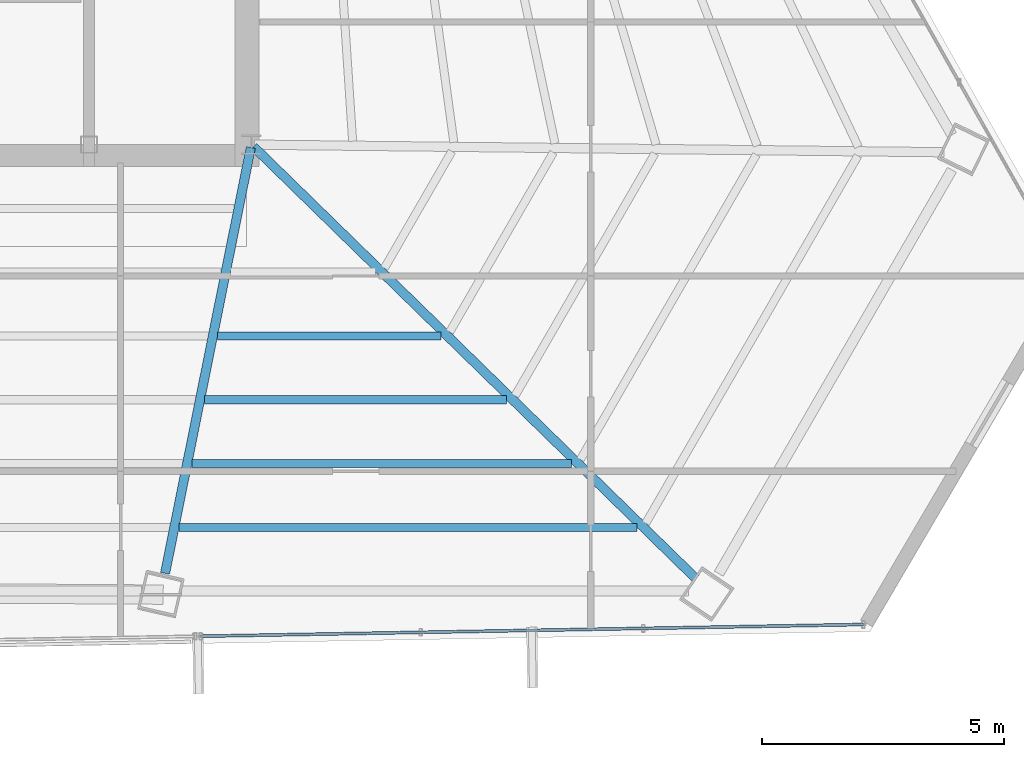
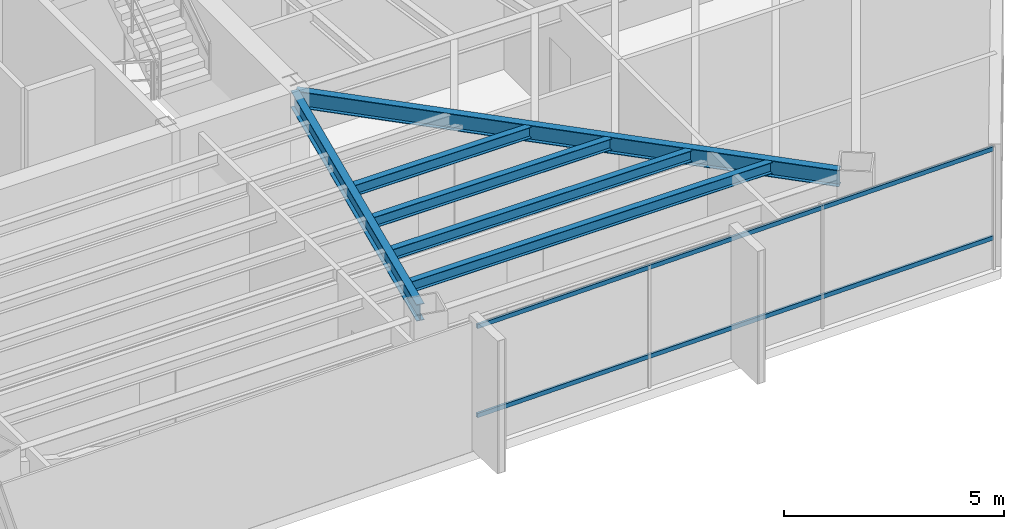
# One storey, part 19 of 42: 6 beams, 2 members, 1 element without a shape of its own.
"""IFC4 building model written with IfcOpenShell, lengths in metres."""

from ifc_helpers import new_model, si_unit, direction, frame, origin, origin_2d, place, context, subcontext, project, spatial, hollow_rectangle, i_section, extrude, source, transform, mapped, material, material_profile, profile_set, type_object, type_shapes, element, aggregate, save


model = new_model("IFC4")

# Units and contexts
model_context = context("Model", 3, precision=1e-05, world=origin(), true_north=direction((0.0, 1.0)))
body_context = subcontext(model_context, "Body", "Model", "MODEL_VIEW")
ifc_project = project(units=[si_unit("LENGTHUNIT", "METRE"), si_unit("AREAUNIT", "SQUARE_METRE"), si_unit("VOLUMEUNIT", "CUBIC_METRE"), si_unit("PLANEANGLEUNIT", "RADIAN"), si_unit("MASSUNIT", "GRAM", prefix="KILO")], contexts=[model_context])

# Site, building, storey
site_placement = place(None, origin())
site = spatial("IfcSite", under=ifc_project, at=site_placement, CompositionType="ELEMENT")
building_placement = place(site_placement, origin())
building = spatial("IfcBuilding", under=site, at=building_placement, Name="Caelisora Broadcast Tower", CompositionType="ELEMENT")
storey_placement = place(building_placement, frame((0.0, 0.0, 195.0)))
storey = spatial("IfcBuildingStorey", under=building, at=storey_placement, Name="L51", CompositionType="ELEMENT", Elevation=195.0)

# Beams
ifc_material_1 = material(Name="Steel Grade 350 (AS/NZS 3679.1)", Category="steel")
ifc_material_profile_1 = material_profile(ifc_material_1, i_section(OverallWidth=0.19091796875, OverallDepth=0.46044921875, WebThickness=0.010009765625, FlangeThickness=0.01611328125, at=origin_2d()), Name="Steel Grade 350 (AS/NZS 3679.1)")
ifc_profile_set_1 = profile_set([ifc_material_profile_1], Name="Steel Grade 350 (AS/NZS 3679.1)")
beam_type_1 = type_object("IfcBeamType", Name="PG06", PredefinedType="BEAM", material=ifc_profile_set_1)
shared_shape_1 = source(origin(), body_context, "Body", "SweptSolid", [
    extrude(i_section(OverallWidth=0.19091796875, OverallDepth=0.46044921875, WebThickness=0.010009765625, FlangeThickness=0.01611328125, at=origin_2d()), origin(), (0.0, 0.0, 1.0), 12.751220703125),
])
beam_1_placement = place(storey_placement, frame((45.54296875, 17.358154296875, 3.169921875), z_axis=(0.715547316722, -0.69856426872, 0.0), x_axis=(0.69856426872, 0.715547316722, 0.0)))
element("IfcBeam", 1, at=beam_1_placement, inside=storey, type_object=beam_type_1, Name="L51 beam PG06", PredefinedType="BEAM", context=body_context, shape_type="MappedRepresentation", body=[
    mapped(shared_shape_1, transform((0.0, 0.0, 0.0), scale=1.0)),
])
shared_shape_2 = source(origin(), body_context, "Body", "SweptSolid", [
    extrude(i_section(OverallWidth=0.19091796875, OverallDepth=0.46044921875, WebThickness=0.010009765625, FlangeThickness=0.01611328125, at=origin_2d()), origin(), (0.0, 0.0, 1.0), 8.9609375),
])
type_shapes(beam_type_1, [shared_shape_1, shared_shape_2])
beam_2_placement = place(storey_placement, frame((45.48828125, 17.34130859375, 3.169921875), z_axis=(-0.197389143956, -0.980325214329, 0.0), x_axis=(0.980325214329, -0.197389143956, 0.0)))
element("IfcBeam", 2, at=beam_2_placement, inside=storey, type_object=beam_type_1, Name="L51 beam PG06", PredefinedType="BEAM", context=body_context, shape_type="MappedRepresentation", body=[
    mapped(shared_shape_2, transform((0.0, 0.0, 0.0), scale=1.0)),
])
ifc_material_profile_2 = material_profile(ifc_material_1, i_section(OverallWidth=0.166015625, OverallDepth=0.30712890625, WebThickness=0.006591796875, FlangeThickness=0.01171875, at=origin_2d()), Name="Steel Grade 350 (AS/NZS 3679.1)")
ifc_profile_set_2 = profile_set([ifc_material_profile_2], Name="Steel Grade 350 (AS/NZS 3679.1)")
beam_type_2 = type_object("IfcBeamType", Name="SB03", PredefinedType="JOIST", material=ifc_profile_set_2)
shared_shape_3 = source(origin(), body_context, "Body", "SweptSolid", [
    extrude(i_section(OverallWidth=0.166015625, OverallDepth=0.30712890625, WebThickness=0.006591796875, FlangeThickness=0.01171875, at=origin_2d()), origin(), (0.0, 0.0, 1.0), 4.61083984375),
])
beam_3_placement = place(storey_placement, frame((44.799560546875, 13.451904296875, 3.246337890625), z_axis=(1.0, 0.0, 0.0), x_axis=(0.0, 1.0, 0.0)))
element("IfcBeam", 3, at=beam_3_placement, inside=storey, type_object=beam_type_2, Name="L51 beam SB03", PredefinedType="JOIST", context=body_context, shape_type="MappedRepresentation", body=[
    mapped(shared_shape_3, transform((0.0, 0.0, 0.0), scale=1.0)),
])
shared_shape_4 = source(origin(), body_context, "Body", "SweptSolid", [
    extrude(i_section(OverallWidth=0.166015625, OverallDepth=0.30712890625, WebThickness=0.006591796875, FlangeThickness=0.01171875, at=origin_2d()), origin(), (0.0, 0.0, 1.0), 6.2236328125),
])
beam_4_placement = place(storey_placement, frame((44.53466796875, 12.135986328125, 3.246337890625), z_axis=(1.0, 0.0, 0.0), x_axis=(0.0, 1.0, 0.0)))
element("IfcBeam", 4, at=beam_4_placement, inside=storey, type_object=beam_type_2, Name="L51 beam SB03", PredefinedType="JOIST", context=body_context, shape_type="MappedRepresentation", body=[
    mapped(shared_shape_4, transform((0.0, 0.0, 0.0), scale=1.0)),
])
shared_shape_5 = source(origin(), body_context, "Body", "SweptSolid", [
    extrude(i_section(OverallWidth=0.166015625, OverallDepth=0.30712890625, WebThickness=0.006591796875, FlangeThickness=0.01171875, at=origin_2d()), origin(), (0.0, 0.0, 1.0), 7.836669921875),
])
beam_5_placement = place(storey_placement, frame((44.269775390625, 10.820068359375, 3.246337890625), z_axis=(1.0, 0.0, 0.0), x_axis=(0.0, 1.0, 0.0)))
element("IfcBeam", 5, at=beam_5_placement, inside=storey, type_object=beam_type_2, Name="L51 beam SB03", PredefinedType="JOIST", context=body_context, shape_type="MappedRepresentation", body=[
    mapped(shared_shape_5, transform((0.0, 0.0, 0.0), scale=1.0)),
])
shared_shape_6 = source(origin(), body_context, "Body", "SweptSolid", [
    extrude(i_section(OverallWidth=0.166015625, OverallDepth=0.30712890625, WebThickness=0.006591796875, FlangeThickness=0.01171875, at=origin_2d()), origin(), (0.0, 0.0, 1.0), 9.44970703125),
])
type_shapes(beam_type_2, [shared_shape_3, shared_shape_4, shared_shape_5, shared_shape_6])
beam_6_placement = place(storey_placement, frame((44.004638671875, 9.504150390625, 3.246337890625), z_axis=(1.0, 0.0, 0.0), x_axis=(0.0, 1.0, 0.0)))
element("IfcBeam", 6, at=beam_6_placement, inside=storey, type_object=beam_type_2, Name="L51 beam SB03", PredefinedType="JOIST", context=body_context, shape_type="MappedRepresentation", body=[
    mapped(shared_shape_6, transform((0.0, 0.0, 0.0), scale=1.0)),
])

# Curtain wall, members
ifc_material_2 = material(Name="Unitised Aluminium and Low-E Glass Curtain Wall", Category="glass")
curtain_wall_type = type_object("IfcCurtainWallType", Name="CW-Z4", PredefinedType="NOTDEFINED", material=ifc_material_2)
curtain_wall_placement = place(storey_placement, origin())
curtain_wall = element("IfcCurtainWall", 7, at=curtain_wall_placement, inside=storey, type_object=curtain_wall_type, Name="L51 curtain wall CW-Z4", PredefinedType="NOTDEFINED")
ifc_material_3 = material(Name="Aluminium 6063-T6 Anodised Terracotta Bronze", Category="aluminium")
ifc_material_profile_3 = material_profile(ifc_material_3, hollow_rectangle(XDim=0.06005859375, YDim=0.1201171875, WallThickness=0.0029296875, at=origin_2d()), Name="Aluminium 6063-T6 Anodised Terracotta Bronze")
ifc_profile_set_3 = profile_set([ifc_material_profile_3], Name="Aluminium 6063-T6 Anodised Terracotta Bronze")
member_type = type_object("IfcMemberType", Name="CWT-03", PredefinedType="USERDEFINED", material=ifc_profile_set_3)
shared_shape_7 = source(origin(), body_context, "Body", "SweptSolid", [
    extrude(hollow_rectangle(XDim=0.06005859375, YDim=0.1201171875, WallThickness=0.0029296875, at=origin_2d()), origin(), (0.0, 0.0, 1.0), 13.679931640625),
])
type_shapes(member_type, [shared_shape_7])
member_1_placement = place(storey_placement, frame((58.126953125, 7.4990234375, 0.85009765625), z_axis=(-0.999843273291, -0.017703922017, 0.0), x_axis=(0.017703922017, -0.999843273291, 0.0)))
member_1 = element("IfcMember", 8, at=member_1_placement, type_object=member_type, Name="L51-CW-B05 transom #1", ObjectType="TRANSOM", PredefinedType="USERDEFINED", context=body_context, shape_type="MappedRepresentation", body=[
    mapped(shared_shape_7, transform((0.0, 0.0, 0.0), scale=1.0)),
])
member_2_placement = place(storey_placement, frame((58.126953125, 7.4990234375, 3.320068359375), z_axis=(-0.999843273291, -0.017703922017, 0.0), x_axis=(0.017703922017, -0.999843273291, 0.0)))
member_2 = element("IfcMember", 9, at=member_2_placement, type_object=member_type, Name="L51-CW-B05 transom #2", ObjectType="TRANSOM", PredefinedType="USERDEFINED", context=body_context, shape_type="MappedRepresentation", body=[
    mapped(shared_shape_7, transform((0.0, 0.0, 0.0), scale=1.0)),
])
aggregate(curtain_wall, [member_1, member_2])

save(model, "model.ifc")
